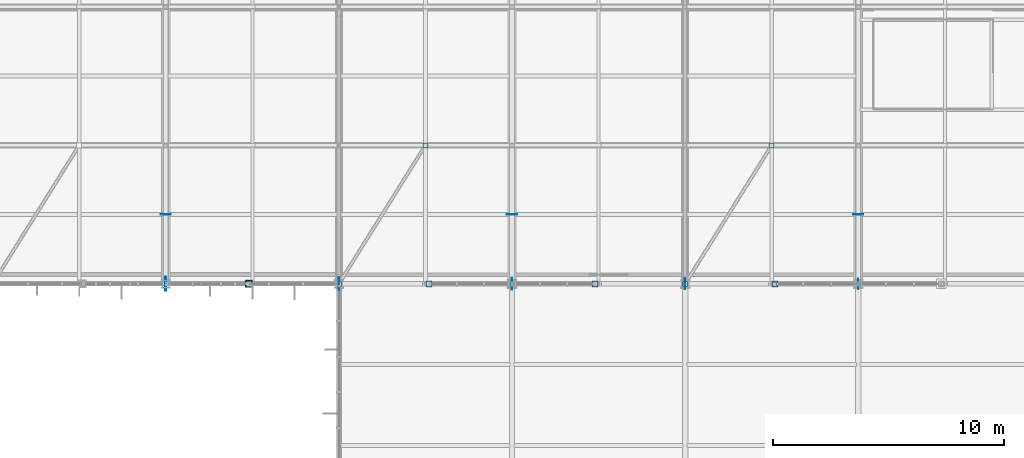
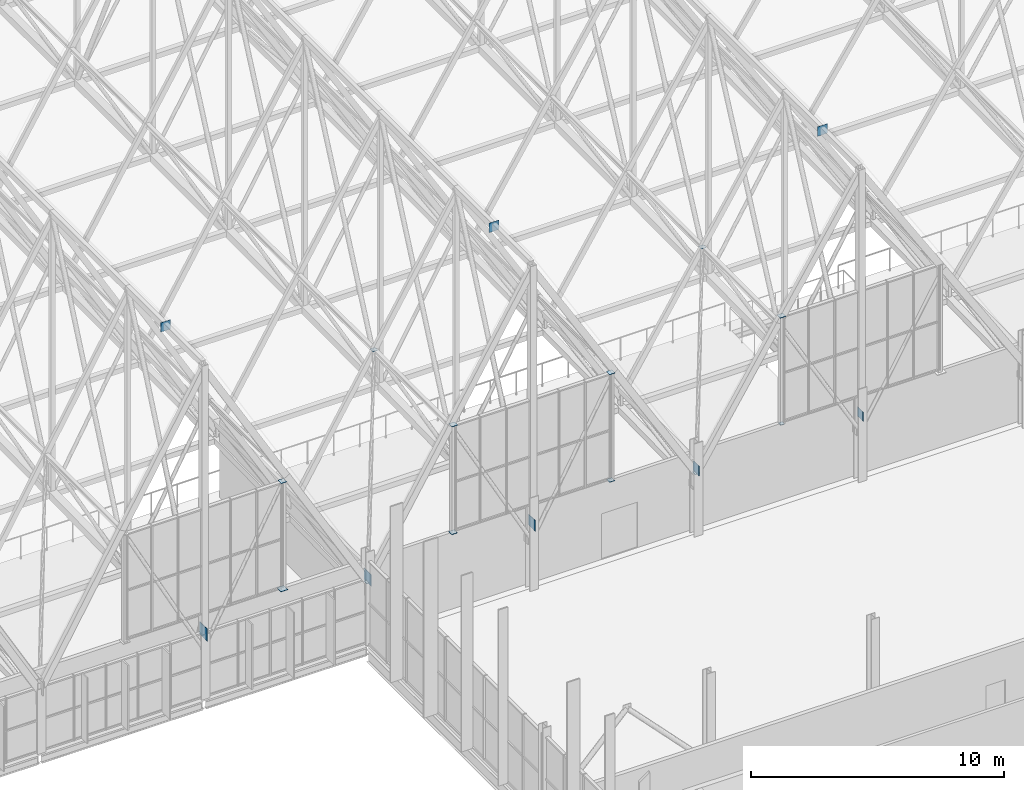
# One storey, part 299 of 324: 20 plates.
"""IFC4 building model written with IfcOpenShell, lengths in metres."""

from ifc_helpers import new_model, si_unit, direction, frame, origin, origin_2d, place, context, subcontext, project, spatial, rectangle, extrude, material, layer, layer_set, type_object, element, save


model = new_model("IFC4")

# Units and contexts
model_context = context("Model", 3, precision=1e-05, world=origin(), true_north=direction((0.0, 1.0)))
body_context = subcontext(model_context, "Body", "Model", "MODEL_VIEW")
ifc_project = project(units=[si_unit("LENGTHUNIT", "METRE"), si_unit("AREAUNIT", "SQUARE_METRE"), si_unit("VOLUMEUNIT", "CUBIC_METRE"), si_unit("PLANEANGLEUNIT", "RADIAN"), si_unit("MASSUNIT", "GRAM", prefix="KILO")], contexts=[model_context])

# Site, building, storey
site_placement = place(None, origin())
site = spatial("IfcSite", under=ifc_project, at=site_placement, CompositionType="ELEMENT")
building_placement = place(site_placement, origin())
building = spatial("IfcBuilding", under=site, at=building_placement, Name="Solvenia Promenade Tram Depot", CompositionType="ELEMENT")
storey_placement = place(building_placement, frame((0.0, 0.0, 4.5)))
storey = spatial("IfcBuildingStorey", under=building, at=storey_placement, Name="L01", CompositionType="ELEMENT", Elevation=4.5)

# Plates
ifc_material = material(Name="Structural steel ASTM A572 Gr. 50", Category="steel")
ifc_layer_1 = layer(ifc_material, 0.011962890625, Name="Structural steel ASTM A572 Gr. 50", Category="steel")
ifc_layer_set_1 = layer_set([ifc_layer_1], Name="Structural steel ASTM A572 Gr. 50")
plate_type_1 = type_object("IfcPlateType", Name="EndCap-CP12", PredefinedType="SHEET", material=ifc_layer_set_1)
plate_1_placement = place(storey_placement, frame((123.89990234375, 66.0, 3.94384765625), z_axis=(0.0, 0.0, 1.0), x_axis=(1.0, 0.0, 0.0)))
element("IfcPlate", 1, at=plate_1_placement, inside=storey, type_object=plate_type_1, Name="Gable Jamb Bottom Cap Plate 035", PredefinedType="SHEET", context=body_context, shape_type="SweptSolid", body=[
    extrude(rectangle(XDim=0.179931640625, YDim=0.179931640625, at=origin_2d()), origin(), (0.0, 0.0, 1.0), 0.011962890625),
])
ifc_layer_2 = layer(ifc_material, 0.02001953125, Name="Structural steel ASTM A572 Gr. 50", Category="steel")
ifc_layer_set_2 = layer_set([ifc_layer_2], Name="Structural steel ASTM A572 Gr. 50")
plate_type_2 = type_object("IfcPlateType", Name="EndCap-CP4", PredefinedType="SHEET", material=ifc_layer_set_2)
for number, where, z_axis, x_axis, name in (
    (2, (101.10009765625, 66.0, 9.141845703125), (0.0, 0.0, 1.0), (1.0, 0.0, 0.0), "Gable Jamb Top Cap Plate 028"),
    (3, (108.89990234375, 66.0, 9.141845703125), (0.0, 0.0, 1.0), (1.0, 0.0, 0.0), "Gable Jamb Top Cap Plate 031"),
    (4, (116.10009765625, 66.0, 9.141845703125), (0.0, 0.0, 1.0), (1.0, 0.0, 0.0), "Gable Jamb Top Cap Plate 032"),
    (5, (123.89990234375, 66.0, 9.141845703125), (0.0, 0.0, 1.0), (1.0, 0.0, 0.0), "Gable Jamb Top Cap Plate 035"),
):
    element("IfcPlate", number, at=place(storey_placement, frame(where, z_axis=z_axis, x_axis=x_axis)), inside=storey, type_object=plate_type_2, Name=name, PredefinedType="SHEET", context=body_context, shape_type="SweptSolid", body=[
        extrude(rectangle(XDim=0.260009765625, YDim=0.260009765625, at=origin_2d()), origin(), (0.0, 0.0, 1.0), 0.01611328125),
    ])
ifc_layer_3 = layer(ifc_material, 0.01904296875, Name="Structural steel ASTM A572 Gr. 50", Category="steel")
ifc_layer_set_3 = layer_set([ifc_layer_3], Name="Structural steel ASTM A572 Gr. 50")
plate_type_3 = type_object("IfcPlateType", Name="EndCap-CP5", PredefinedType="SHEET", material=ifc_layer_set_3)
for number, where, z_axis, x_axis, name in (
    (6, (105.0, 66.0, 2.920654296875), (0.0, 0.0, 1.0), (1.0, 0.0, 0.0), "Roof Brace Node Plate 015A"),
    (7, (108.75, 72.0, 9.169189453125), (0.0, 0.0, 1.0), (1.0, 0.0, 0.0), "Roof Brace Node Plate 015B"),
    (8, (120.0, 66.0, 2.93310546875), (0.0, 0.0, 1.0), (1.0, 0.0, 0.0), "Roof Brace Node Plate 017A"),
    (9, (123.75, 72.0, 8.878173828125), (0.0, 0.0, 1.0), (1.0, 0.0, 0.0), "Roof Brace Node Plate 017B"),
):
    element("IfcPlate", number, at=place(storey_placement, frame(where, z_axis=z_axis, x_axis=x_axis)), inside=storey, type_object=plate_type_3, Name=name, PredefinedType="SHEET", context=body_context, shape_type="SweptSolid", body=[
        extrude(rectangle(XDim=0.219970703125, YDim=0.219970703125, at=origin_2d()), origin(), (0.0, 0.0, 1.0), 0.01904296875),
    ])
plate_2_placement = place(storey_placement, frame((101.10009765625, 66.0, 3.9404296875), z_axis=(0.0, 0.0, 1.0), x_axis=(1.0, 0.0, 0.0)))
element("IfcPlate", 10, at=plate_2_placement, inside=storey, type_object=plate_type_3, Name="Gable Jamb Bottom Cap Plate 028", PredefinedType="SHEET", context=body_context, shape_type="SweptSolid", body=[
    extrude(rectangle(XDim=0.320068359375, YDim=0.320068359375, at=origin_2d()), origin(), (0.0, 0.0, 1.0), 0.01904296875),
])
ifc_layer_4 = layer(ifc_material, 0.01611328125, Name="Structural steel ASTM A572 Gr. 50", Category="steel")
ifc_layer_set_4 = layer_set([ifc_layer_4], Name="Structural steel ASTM A572 Gr. 50")
plate_type_4 = type_object("IfcPlateType", Name="EndCap-CP8", PredefinedType="SHEET", material=ifc_layer_set_4)
plate_3_placement = place(storey_placement, frame((108.89990234375, 66.0, 3.94189453125), z_axis=(0.0, 0.0, 1.0), x_axis=(1.0, 0.0, 0.0)))
element("IfcPlate", 11, at=plate_3_placement, inside=storey, type_object=plate_type_4, Name="Gable Jamb Bottom Cap Plate 031", PredefinedType="SHEET", context=body_context, shape_type="SweptSolid", body=[
    extrude(rectangle(XDim=0.260009765625, YDim=0.260009765625, at=origin_2d()), origin(), (0.0, 0.0, 1.0), 0.01611328125),
])
ifc_layer_5 = layer(ifc_material, 0.014892578125, Name="Structural steel ASTM A572 Gr. 50", Category="steel")
ifc_layer_set_5 = layer_set([ifc_layer_5], Name="Structural steel ASTM A572 Gr. 50")
plate_type_5 = type_object("IfcPlateType", Name="EndCap-CP9", PredefinedType="SHEET", material=ifc_layer_set_5)
plate_4_placement = place(storey_placement, frame((116.10009765625, 66.0, 3.9423828125), z_axis=(0.0, 0.0, 1.0), x_axis=(1.0, 0.0, 0.0)))
element("IfcPlate", 12, at=plate_4_placement, inside=storey, type_object=plate_type_5, Name="Gable Jamb Bottom Cap Plate 032", PredefinedType="SHEET", context=body_context, shape_type="SweptSolid", body=[
    extrude(rectangle(XDim=0.239990234375, YDim=0.239990234375, at=origin_2d()), origin(), (0.0, 0.0, 1.0), 0.014892578125),
])
ifc_layer_6 = layer(ifc_material, 0.02490234375, Name="Structural steel ASTM A572 Gr. 50", Category="steel")
ifc_layer_set_6 = layer_set([ifc_layer_6], Name="Structural steel ASTM A572 Gr. 50")
plate_type_6 = type_object("IfcPlateType", Name="Gusset-GP3", PredefinedType="USERDEFINED", material=ifc_layer_set_6)
plate_5_placement = place(storey_placement, frame((97.5, 66.0, 2.849853515625), z_axis=(0.0, 0.0, 1.0), x_axis=(1.0, 0.0, 0.0)))
element("IfcPlate", 13, at=plate_5_placement, inside=storey, type_object=plate_type_6, Name="Arched Truss Shoe Gusset 14S", ObjectType="GUSSET PLATE", PredefinedType="USERDEFINED", context=body_context, shape_type="SweptSolid", body=[
    extrude(rectangle(XDim=0.02490234375, YDim=0.60009765625, at=origin_2d()), origin(), (0.0, 0.0, 1.0), 0.60009765625),
])
ifc_layer_7 = layer(ifc_material, 0.02392578125, Name="Structural steel ASTM A572 Gr. 50", Category="steel")
ifc_layer_set_7 = layer_set([ifc_layer_7], Name="Structural steel ASTM A572 Gr. 50")
plate_type_7 = type_object("IfcPlateType", Name="Gusset-GP4", PredefinedType="USERDEFINED", material=ifc_layer_set_7)
plate_6_placement = place(storey_placement, frame((97.5, 69.0, 15.86279296875), z_axis=(0.0, 0.0, 1.0), x_axis=(1.0, 0.0, 0.0)))
element("IfcPlate", 14, at=plate_6_placement, inside=storey, type_object=plate_type_7, Name="Ridge Node Gusset T14-S01", ObjectType="GUSSET PLATE", PredefinedType="USERDEFINED", context=body_context, shape_type="SweptSolid", body=[
    extrude(rectangle(XDim=0.449951171875, YDim=0.02001953125, at=origin_2d()), origin(), (0.0, 0.0, 1.0), 0.449951171875),
])
plate_7_placement = place(storey_placement, frame((105.0, 66.0, 2.869873046875), z_axis=(0.0, 0.0, 1.0), x_axis=(1.0, 0.0, 0.0)))
element("IfcPlate", 15, at=plate_7_placement, inside=storey, type_object=plate_type_7, Name="Arched Truss Shoe Gusset 15S", ObjectType="GUSSET PLATE", PredefinedType="USERDEFINED", context=body_context, shape_type="SweptSolid", body=[
    extrude(rectangle(XDim=0.02392578125, YDim=0.56005859375, at=origin_2d()), origin(), (0.0, 0.0, 1.0), 0.56005859375),
])
for number, where, z_axis, x_axis, name in (
    (16, (112.5, 69.0, 15.421875), (0.0, 0.0, 1.0), (1.0, 0.0, 0.0), "Ridge Node Gusset T16-S01"),
    (17, (127.5, 69.0, 14.81494140625), (0.0, 0.0, 1.0), (1.0, 0.0, 0.0), "Ridge Node Gusset T18-S01"),
):
    element("IfcPlate", number, at=place(storey_placement, frame(where, z_axis=z_axis, x_axis=x_axis)), inside=storey, type_object=plate_type_7, Name=name, ObjectType="GUSSET PLATE", PredefinedType="USERDEFINED", context=body_context, shape_type="SweptSolid", body=[
        extrude(rectangle(XDim=0.449951171875, YDim=0.02001953125, at=origin_2d()), origin(), (0.0, 0.0, 1.0), 0.449951171875),
    ])
ifc_layer_8 = layer(ifc_material, 0.02197265625, Name="Structural steel ASTM A572 Gr. 50", Category="steel")
ifc_layer_set_8 = layer_set([ifc_layer_8], Name="Structural steel ASTM A572 Gr. 50")
plate_type_8 = type_object("IfcPlateType", Name="Gusset-GP5", PredefinedType="USERDEFINED", material=ifc_layer_set_8)
plate_8_placement = place(storey_placement, frame((112.5, 66.0, 2.889892578125), z_axis=(0.0, 0.0, 1.0), x_axis=(1.0, 0.0, 0.0)))
element("IfcPlate", 18, at=plate_8_placement, inside=storey, type_object=plate_type_8, Name="Arched Truss Shoe Gusset 16S", ObjectType="GUSSET PLATE", PredefinedType="USERDEFINED", context=body_context, shape_type="SweptSolid", body=[
    extrude(rectangle(XDim=0.02197265625, YDim=0.52001953125, at=origin_2d()), origin(), (0.0, 0.0, 1.0), 0.52001953125),
])
ifc_layer_9 = layer(ifc_material, 0.02099609375, Name="Structural steel ASTM A572 Gr. 50", Category="steel")
ifc_layer_set_9 = layer_set([ifc_layer_9], Name="Structural steel ASTM A572 Gr. 50")
plate_type_9 = type_object("IfcPlateType", Name="Gusset-GP6", PredefinedType="USERDEFINED", material=ifc_layer_set_9)
plate_9_placement = place(storey_placement, frame((120.0, 66.0, 2.909912109375), z_axis=(0.0, 0.0, 1.0), x_axis=(1.0, 0.0, 0.0)))
element("IfcPlate", 19, at=plate_9_placement, inside=storey, type_object=plate_type_9, Name="Arched Truss Shoe Gusset 17S", ObjectType="GUSSET PLATE", PredefinedType="USERDEFINED", context=body_context, shape_type="SweptSolid", body=[
    extrude(rectangle(XDim=0.02099609375, YDim=0.47998046875, at=origin_2d()), origin(), (0.0, 0.0, 1.0), 0.47998046875),
])
ifc_layer_10 = layer(ifc_material, 0.02001953125, Name="Structural steel ASTM A572 Gr. 50", Category="steel")
ifc_layer_set_10 = layer_set([ifc_layer_10], Name="Structural steel ASTM A572 Gr. 50")
plate_type_10 = type_object("IfcPlateType", Name="Gusset-GP7", PredefinedType="USERDEFINED", material=ifc_layer_set_10)
plate_10_placement = place(storey_placement, frame((127.5, 66.0, 2.9248046875), z_axis=(0.0, 0.0, 1.0), x_axis=(1.0, 0.0, 0.0)))
element("IfcPlate", 20, at=plate_10_placement, inside=storey, type_object=plate_type_10, Name="Arched Truss Shoe Gusset 18S", ObjectType="GUSSET PLATE", PredefinedType="USERDEFINED", context=body_context, shape_type="SweptSolid", body=[
    extrude(rectangle(XDim=0.02001953125, YDim=0.449951171875, at=origin_2d()), origin(), (0.0, 0.0, 1.0), 0.449951171875),
])

save(model, "model.ifc")
